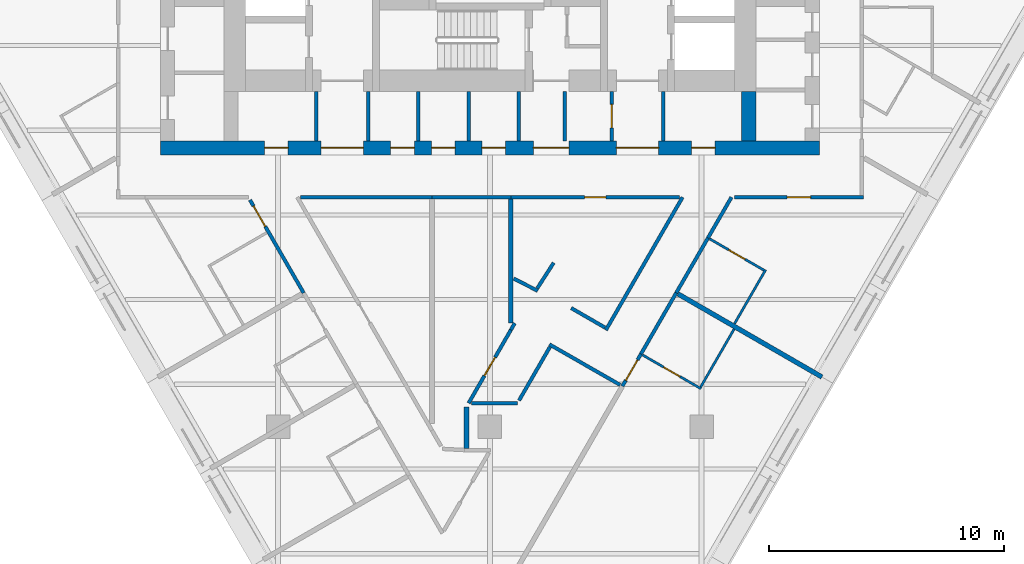
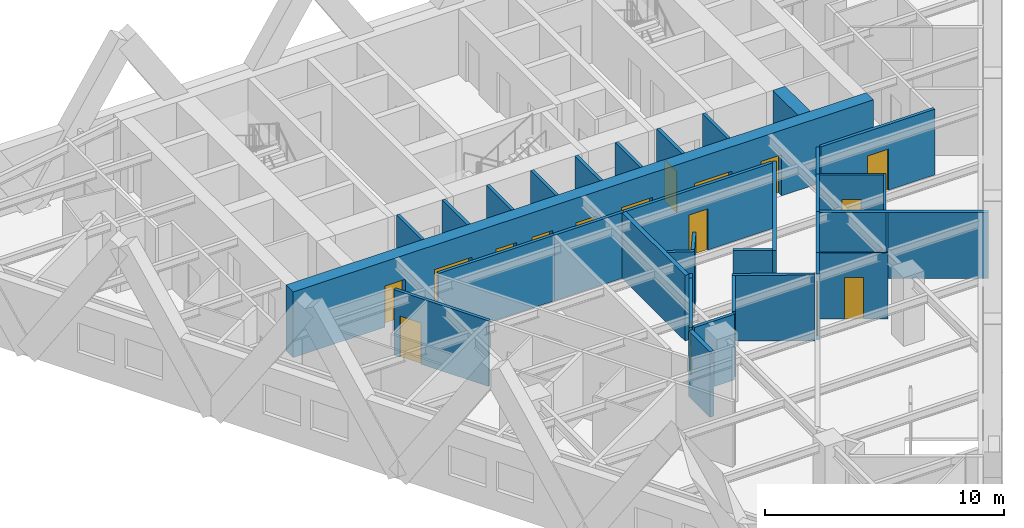
# One storey, part 6 of 12: 35 walls, 16 doors, 16 openings.
"""IFC4 building model written with IfcOpenShell, lengths in metres."""

from ifc_helpers import new_model, si_unit, direction, frame, frame_2d, origin, place, context, subcontext, project, spatial, rectangle, extrude, material, layer, layer_set, type_object, element, fill, save


model = new_model("IFC4")

# Units and contexts
model_context = context("Model", 3, precision=1e-05, world=origin(), true_north=direction((0.0, 1.0)))
body_context = subcontext(model_context, "Body", "Model", "MODEL_VIEW")
ifc_project = project(units=[si_unit("LENGTHUNIT", "METRE"), si_unit("AREAUNIT", "SQUARE_METRE"), si_unit("VOLUMEUNIT", "CUBIC_METRE"), si_unit("PLANEANGLEUNIT", "RADIAN"), si_unit("MASSUNIT", "GRAM", prefix="KILO")], contexts=[model_context])

# Site, building, storey
site_placement = place(None, origin())
site = spatial("IfcSite", under=ifc_project, at=site_placement, CompositionType="ELEMENT")
building_placement = place(site_placement, origin())
building = spatial("IfcBuilding", under=site, at=building_placement, Name="Aloe Facet Convention Tower", CompositionType="ELEMENT")
storey_placement = place(building_placement, frame((0.0, 0.0, 70.0)))
storey = spatial("IfcBuildingStorey", under=building, at=storey_placement, Name="L16", CompositionType="ELEMENT", Elevation=70.0)

# Walls
ifc_material_1 = material(Name="Concrete blockwork partition", Category="masonry")
ifc_layer_1 = layer(ifc_material_1, 0.14990234375)
ifc_layer_set_1 = layer_set([ifc_layer_1], Name="CR-W-PART150")
wall_type_1 = type_object("IfcWallType", Name="CR-W-PART150", PredefinedType="PARTITIONING", material=ifc_layer_set_1)
for number, where, z_axis, x_axis, name in (
    (1, (72.625, 122.25, 0.0), (0.0, 0.0, 1.0), (0.0, -1.0, 0.0), "Core partition L16-016"),
    (2, (74.824951171875, 122.25, 0.0), (0.0, 0.0, 1.0), (0.0, -1.0, 0.0), "Core partition L16-017"),
    (3, (76.958251953125, 122.25, 0.0), (0.0, 0.0, 1.0), (0.0, -1.0, 0.0), "Core partition L16-023"),
    (4, (79.091552734375, 122.25, 0.0), (0.0, 0.0, 1.0), (0.0, -1.0, 0.0), "Core partition L16-026"),
    (5, (81.22509765625, 122.25, 0.0), (0.0, 0.0, 1.0), (0.0, -1.0, 0.0), "Core partition L16-027"),
    (6, (83.175048828125, 122.25, 0.0), (0.0, 0.0, 1.0), (0.0, -1.0, 0.0), "Core partition L16-034"),
):
    element("IfcWall", number, at=place(storey_placement, frame(where, z_axis=z_axis, x_axis=x_axis)), inside=storey, type_object=wall_type_1, Name=name, PredefinedType="PARTITIONING", context=body_context, shape_type="SweptSolid", body=[
        extrude(rectangle(XDim=2.10009765625, YDim=0.14990234375, at=frame_2d((1.050048828125, 0.0))), origin(), (0.0, 0.0, 1.0), 3.35009765625),
    ])

# Wall, opening, door
wall_1_placement = place(storey_placement, frame((85.175048828125, 122.25, 0.0), z_axis=(0.0, 0.0, 1.0), x_axis=(0.0, -1.0, 0.0)))
wall_1 = element("IfcWall", 7, at=wall_1_placement, inside=storey, type_object=wall_type_1, Name="Core partition L16-040", PredefinedType="PARTITIONING", context=body_context, shape_type="SweptSolid", body=[
    extrude(rectangle(XDim=2.10009765625, YDim=0.14990234375, at=frame_2d((1.050048828125, 0.0))), origin(), (0.0, 0.0, 1.0), 3.35009765625),
])
opening_1_placement = place(wall_1_placement, frame((0.550048828125, 0.0, 0.0)))
opening_1 = element("IfcOpeningElement", 8, at=opening_1_placement, cuts=wall_1, Name="Opening L16-CD28", PredefinedType="OPENING", context=body_context, shape_type="SweptSolid", body=[
    extrude(rectangle(XDim=1.0, YDim=2.10009765625, at=frame_2d((0.5, 1.050048828125))), frame((0.0, 0.0849609375, 0.0), z_axis=(0.0, -1.0, 0.0), x_axis=(1.0, 0.0, 0.0)), (0.0, 0.0, 1.0), 0.169921875),
])
ifc_material_2 = material(Name="Steel fire-resisting door set FD60", Category="steel")
door_type_1 = type_object("IfcDoorType", Name="CR-D-ROOM-1000-FD60-SRIGHT", OperationType="SINGLE_SWING_RIGHT", PredefinedType="DOOR", material=ifc_material_2)
door_1_placement = place(opening_1_placement, origin())
door_1 = element("IfcDoor", 9, at=door_1_placement, inside=storey, type_object=door_type_1, Name="Core door L16-CD28", OperationType="SINGLE_SWING_RIGHT", OverallHeight=2.10009765625, OverallWidth=1.0, PredefinedType="DOOR", context=body_context, shape_type="SweptSolid", body=[
    extrude(rectangle(XDim=1.0, YDim=2.10009765625, at=frame_2d((0.5, 1.050048828125))), frame((0.0, 0.02490234375, 0.0), z_axis=(0.0, -1.0, 0.0), x_axis=(1.0, 0.0, 0.0)), (0.0, 0.0, 1.0), 0.050048828125),
])
fill(opening_1, door_1)

# Wall
wall_2_placement = place(storey_placement, frame((87.375, 122.25, 0.0), z_axis=(0.0, 0.0, 1.0), x_axis=(0.0, -1.0, 0.0)))
element("IfcWall", 10, at=wall_2_placement, inside=storey, type_object=wall_type_1, Name="Core partition L16-041", PredefinedType="PARTITIONING", context=body_context, shape_type="SweptSolid", body=[
    extrude(rectangle(XDim=2.10009765625, YDim=0.14990234375, at=frame_2d((1.050048828125, 0.0))), origin(), (0.0, 0.0, 1.0), 3.35009765625),
])

# Wall, openings, doors
ifc_material_3 = material(Name="Concrete C80/95", Category="concrete")
ifc_layer_2 = layer(ifc_material_3, 0.60009765625)
ifc_layer_set_2 = layer_set([ifc_layer_2], Name="CR-W-RC600-C8095")
wall_type_2 = type_object("IfcWallType", Name="CR-W-RC600-C8095", PredefinedType="SOLIDWALL", material=ifc_layer_set_2)
wall_3_placement = place(storey_placement, frame((66.0, 119.85009765625, 0.0), z_axis=(0.0, 0.0, 1.0), x_axis=(1.0, 0.0, 0.0)))
wall_3 = element("IfcWall", 11, at=wall_3_placement, inside=storey, type_object=wall_type_2, Name="Core wall L16-003", PredefinedType="SOLIDWALL", context=body_context, shape_type="SweptSolid", body=[
    extrude(rectangle(XDim=28.0, YDim=0.60009765625, at=frame_2d((14.0, 0.0))), origin(), (0.0, 0.0, 1.0), 3.35009765625),
])
opening_2_placement = place(wall_3_placement, frame((6.824951171875, 0.0, 0.0)))
opening_2 = element("IfcOpeningElement", 12, at=opening_2_placement, cuts=wall_3, Name="Opening L16-CD17", PredefinedType="OPENING", context=body_context, shape_type="SweptSolid", body=[
    extrude(rectangle(XDim=1.800048828125, YDim=2.10009765625, at=frame_2d((0.89990234375, 1.050048828125))), frame((0.0, 0.31005859375, 0.0), z_axis=(0.0, -1.0, 0.0), x_axis=(1.0, 0.0, 0.0)), (0.0, 0.0, 1.0), 0.6201171875),
])
opening_3_placement = place(wall_3_placement, frame((15.85009765625, 0.0, 0.0)))
opening_3 = element("IfcOpeningElement", 13, at=opening_3_placement, cuts=wall_3, Name="Opening L16-CD18", PredefinedType="OPENING", context=body_context, shape_type="SweptSolid", body=[
    extrude(rectangle(XDim=1.5, YDim=2.10009765625, at=frame_2d((0.75, 1.050048828125))), frame((0.0, 0.31005859375, 0.0), z_axis=(0.0, -1.0, 0.0), x_axis=(1.0, 0.0, 0.0)), (0.0, 0.0, 1.0), 0.6201171875),
])
opening_4_placement = place(wall_3_placement, frame((19.375, 0.0, 0.0)))
opening_4 = element("IfcOpeningElement", 14, at=opening_4_placement, cuts=wall_3, Name="Opening L16-CD19", PredefinedType="OPENING", context=body_context, shape_type="SweptSolid", body=[
    extrude(rectangle(XDim=1.800048828125, YDim=2.10009765625, at=frame_2d((0.89990234375, 1.050048828125))), frame((0.0, 0.31005859375, 0.0), z_axis=(0.0, -1.0, 0.0), x_axis=(1.0, 0.0, 0.0)), (0.0, 0.0, 1.0), 0.6201171875),
])
opening_5_placement = place(wall_3_placement, frame((4.425048828125, 0.0, 0.0)))
opening_5 = element("IfcOpeningElement", 15, at=opening_5_placement, cuts=wall_3, Name="Opening L16-CD24", PredefinedType="OPENING", context=body_context, shape_type="SweptSolid", body=[
    extrude(rectangle(XDim=1.0, YDim=2.10009765625, at=frame_2d((0.5, 1.050048828125))), frame((0.0, 0.31005859375, 0.0), z_axis=(0.0, -1.0, 0.0), x_axis=(1.0, 0.0, 0.0)), (0.0, 0.0, 1.0), 0.6201171875),
])
opening_6_placement = place(wall_3_placement, frame((9.783203125, 0.0, 0.0)))
opening_6 = element("IfcOpeningElement", 16, at=opening_6_placement, cuts=wall_3, Name="Opening L16-CD25", PredefinedType="OPENING", context=body_context, shape_type="SweptSolid", body=[
    extrude(rectangle(XDim=1.0, YDim=2.10009765625, at=frame_2d((0.5, 1.050048828125))), frame((0.0, 0.31005859375, 0.0), z_axis=(0.0, -1.0, 0.0), x_axis=(1.0, 0.0, 0.0)), (0.0, 0.0, 1.0), 0.6201171875),
])
opening_7_placement = place(wall_3_placement, frame((11.52490234375, 0.0, 0.0)))
opening_7 = element("IfcOpeningElement", 17, at=opening_7_placement, cuts=wall_3, Name="Opening L16-CD26", PredefinedType="OPENING", context=body_context, shape_type="SweptSolid", body=[
    extrude(rectangle(XDim=1.0, YDim=2.10009765625, at=frame_2d((0.5, 1.050048828125))), frame((0.0, 0.31005859375, 0.0), z_axis=(0.0, -1.0, 0.0), x_axis=(1.0, 0.0, 0.0)), (0.0, 0.0, 1.0), 0.6201171875),
])
opening_8_placement = place(wall_3_placement, frame((13.658203125, 0.0, 0.0)))
opening_8 = element("IfcOpeningElement", 18, at=opening_8_placement, cuts=wall_3, Name="Opening L16-CD27", PredefinedType="OPENING", context=body_context, shape_type="SweptSolid", body=[
    extrude(rectangle(XDim=1.0, YDim=2.10009765625, at=frame_2d((0.5, 1.050048828125))), frame((0.0, 0.31005859375, 0.0), z_axis=(0.0, -1.0, 0.0), x_axis=(1.0, 0.0, 0.0)), (0.0, 0.0, 1.0), 0.6201171875),
])
opening_9_placement = place(wall_3_placement, frame((22.574951171875, 0.0, 0.0)))
opening_9 = element("IfcOpeningElement", 19, at=opening_9_placement, cuts=wall_3, Name="Opening L16-CD29", PredefinedType="OPENING", context=body_context, shape_type="SweptSolid", body=[
    extrude(rectangle(XDim=1.0, YDim=2.10009765625, at=frame_2d((0.5, 1.050048828125))), frame((0.0, 0.31005859375, 0.0), z_axis=(0.0, -1.0, 0.0), x_axis=(1.0, 0.0, 0.0)), (0.0, 0.0, 1.0), 0.6201171875),
])
ifc_material_4 = material(Name="Steel fire-resisting door set FD60", Category="steel")
door_type_2 = type_object("IfcDoorType", Name="CR-D-EXIT-1500-FD60-DD", OperationType="DOUBLE_DOOR_DOUBLE_SWING", PredefinedType="DOOR", material=ifc_material_4)
door_2_placement = place(opening_3_placement, origin())
door_2 = element("IfcDoor", 20, at=door_2_placement, inside=storey, type_object=door_type_2, Name="Core door L16-CD18", OperationType="DOUBLE_DOOR_DOUBLE_SWING", OverallHeight=2.10009765625, OverallWidth=1.5, PredefinedType="DOOR", context=body_context, shape_type="SweptSolid", body=[
    extrude(rectangle(XDim=1.5, YDim=2.10009765625, at=frame_2d((0.75, 1.050048828125))), frame((0.0, 0.02490234375, 0.0), z_axis=(0.0, -1.0, 0.0), x_axis=(1.0, 0.0, 0.0)), (0.0, 0.0, 1.0), 0.050048828125),
])
fill(opening_3, door_2)
ifc_material_5 = material(Name="Steel fire-resisting door set FD60", Category="steel")
door_type_3 = type_object("IfcDoorType", Name="CR-D-EXIT-1800-FD60-DD", OperationType="DOUBLE_DOOR_DOUBLE_SWING", PredefinedType="DOOR", material=ifc_material_5)
door_3_placement = place(opening_2_placement, origin())
door_3 = element("IfcDoor", 21, at=door_3_placement, inside=storey, type_object=door_type_3, Name="Core door L16-CD17", OperationType="DOUBLE_DOOR_DOUBLE_SWING", OverallHeight=2.10009765625, OverallWidth=1.800048828125, PredefinedType="DOOR", context=body_context, shape_type="SweptSolid", body=[
    extrude(rectangle(XDim=1.800048828125, YDim=2.10009765625, at=frame_2d((0.89990234375, 1.050048828125))), frame((0.0, 0.02490234375, 0.0), z_axis=(0.0, -1.0, 0.0), x_axis=(1.0, 0.0, 0.0)), (0.0, 0.0, 1.0), 0.050048828125),
])
fill(opening_2, door_3)
door_4_placement = place(opening_4_placement, origin())
door_4 = element("IfcDoor", 22, at=door_4_placement, inside=storey, type_object=door_type_3, Name="Core door L16-CD19", OperationType="DOUBLE_DOOR_DOUBLE_SWING", OverallHeight=2.10009765625, OverallWidth=1.800048828125, PredefinedType="DOOR", context=body_context, shape_type="SweptSolid", body=[
    extrude(rectangle(XDim=1.800048828125, YDim=2.10009765625, at=frame_2d((0.89990234375, 1.050048828125))), frame((0.0, 0.02490234375, 0.0), z_axis=(0.0, -1.0, 0.0), x_axis=(1.0, 0.0, 0.0)), (0.0, 0.0, 1.0), 0.050048828125),
])
fill(opening_4, door_4)
door_5_placement = place(opening_5_placement, origin())
door_5 = element("IfcDoor", 23, at=door_5_placement, inside=storey, type_object=door_type_1, Name="Core door L16-CD24", OperationType="SINGLE_SWING_RIGHT", OverallHeight=2.10009765625, OverallWidth=1.0, PredefinedType="DOOR", context=body_context, shape_type="SweptSolid", body=[
    extrude(rectangle(XDim=1.0, YDim=2.10009765625, at=frame_2d((0.5, 1.050048828125))), frame((0.0, 0.02490234375, 0.0), z_axis=(0.0, -1.0, 0.0), x_axis=(1.0, 0.0, 0.0)), (0.0, 0.0, 1.0), 0.050048828125),
])
fill(opening_5, door_5)
door_6_placement = place(opening_6_placement, origin())
door_6 = element("IfcDoor", 24, at=door_6_placement, inside=storey, type_object=door_type_1, Name="Core door L16-CD25", OperationType="SINGLE_SWING_RIGHT", OverallHeight=2.10009765625, OverallWidth=1.0, PredefinedType="DOOR", context=body_context, shape_type="SweptSolid", body=[
    extrude(rectangle(XDim=1.0, YDim=2.10009765625, at=frame_2d((0.5, 1.050048828125))), frame((0.0, 0.02490234375, 0.0), z_axis=(0.0, -1.0, 0.0), x_axis=(1.0, 0.0, 0.0)), (0.0, 0.0, 1.0), 0.050048828125),
])
fill(opening_6, door_6)
door_7_placement = place(opening_7_placement, origin())
door_7 = element("IfcDoor", 25, at=door_7_placement, inside=storey, type_object=door_type_1, Name="Core door L16-CD26", OperationType="SINGLE_SWING_RIGHT", OverallHeight=2.10009765625, OverallWidth=1.0, PredefinedType="DOOR", context=body_context, shape_type="SweptSolid", body=[
    extrude(rectangle(XDim=1.0, YDim=2.10009765625, at=frame_2d((0.5, 1.050048828125))), frame((0.0, 0.02490234375, 0.0), z_axis=(0.0, -1.0, 0.0), x_axis=(1.0, 0.0, 0.0)), (0.0, 0.0, 1.0), 0.050048828125),
])
fill(opening_7, door_7)
door_8_placement = place(opening_8_placement, origin())
door_8 = element("IfcDoor", 26, at=door_8_placement, inside=storey, type_object=door_type_1, Name="Core door L16-CD27", OperationType="SINGLE_SWING_RIGHT", OverallHeight=2.10009765625, OverallWidth=1.0, PredefinedType="DOOR", context=body_context, shape_type="SweptSolid", body=[
    extrude(rectangle(XDim=1.0, YDim=2.10009765625, at=frame_2d((0.5, 1.050048828125))), frame((0.0, 0.02490234375, 0.0), z_axis=(0.0, -1.0, 0.0), x_axis=(1.0, 0.0, 0.0)), (0.0, 0.0, 1.0), 0.050048828125),
])
fill(opening_8, door_8)
door_9_placement = place(opening_9_placement, origin())
door_9 = element("IfcDoor", 27, at=door_9_placement, inside=storey, type_object=door_type_1, Name="Core door L16-CD29", OperationType="SINGLE_SWING_RIGHT", OverallHeight=2.10009765625, OverallWidth=1.0, PredefinedType="DOOR", context=body_context, shape_type="SweptSolid", body=[
    extrude(rectangle(XDim=1.0, YDim=2.10009765625, at=frame_2d((0.5, 1.050048828125))), frame((0.0, 0.02490234375, 0.0), z_axis=(0.0, -1.0, 0.0), x_axis=(1.0, 0.0, 0.0)), (0.0, 0.0, 1.0), 0.050048828125),
])
fill(opening_9, door_9)

# Wall
wall_4_placement = place(storey_placement, frame((91.0, 122.25, 0.0), z_axis=(0.0, 0.0, 1.0), x_axis=(0.0, -1.0, 0.0)))
element("IfcWall", 28, at=wall_4_placement, inside=storey, type_object=wall_type_2, Name="Core wall L16-047", PredefinedType="SOLIDWALL", context=body_context, shape_type="SweptSolid", body=[
    extrude(rectangle(XDim=2.10009765625, YDim=0.60009765625, at=frame_2d((1.050048828125, 0.0))), origin(), (0.0, 0.0, 1.0), 3.35009765625),
])

# Wall, opening, door
ifc_material_6 = material(Name="Gypsum board partition on steel studs", Category="steel")
ifc_layer_3 = layer(ifc_material_6, 0.14990234375)
ifc_layer_set_3 = layer_set([ifc_layer_3], Name="IN-W-CORR")
wall_type_3 = type_object("IfcWallType", Name="IN-W-CORR", PredefinedType="PARTITIONING", material=ifc_layer_set_3)
wall_5_placement = place(storey_placement, frame((79.09326171875, 109.0, 0.0), z_axis=(0.0, 0.0, 1.0), x_axis=(0.499975343382, 0.866039638822, 0.0)))
wall_5 = element("IfcWall", 29, at=wall_5_placement, inside=storey, type_object=wall_type_3, Name="Partition L16-W025", PredefinedType="PARTITIONING", context=body_context, shape_type="SweptSolid", body=[
    extrude(rectangle(XDim=3.593505859375, YDim=0.14990234375, at=frame_2d((1.796875, 0.0))), origin(), (0.0, 0.0, 1.0), 3.35009765625),
])
opening_10_placement = place(wall_5_placement, frame((1.3466796875, 0.0, 0.0)))
opening_10 = element("IfcOpeningElement", 30, at=opening_10_placement, cuts=wall_5, Name="Opening L16-012", PredefinedType="OPENING", context=body_context, shape_type="SweptSolid", body=[
    extrude(rectangle(XDim=0.89990234375, YDim=2.10009765625, at=frame_2d((0.449951171875, 1.050048828125))), frame((0.0, 0.0849609375, 0.0), z_axis=(0.0, -1.0, 0.0), x_axis=(1.0, 0.0, 0.0)), (0.0, 0.0, 1.0), 0.169921875),
])
ifc_material_7 = material(Name="Hardwood flush door FD30S", Category="wood")
door_type_4 = type_object("IfcDoorType", Name="IN-D-GUEST", OperationType="SINGLE_SWING_LEFT", PredefinedType="DOOR", material=ifc_material_7)
door_10_placement = place(opening_10_placement, origin())
door_10 = element("IfcDoor", 31, at=door_10_placement, inside=storey, type_object=door_type_4, Name="Door L16-012", OperationType="SINGLE_SWING_LEFT", OverallHeight=2.10009765625, OverallWidth=0.89990234375, PredefinedType="DOOR", context=body_context, shape_type="SweptSolid", body=[
    extrude(rectangle(XDim=0.89990234375, YDim=2.10009765625, at=frame_2d((0.449951171875, 1.050048828125))), frame((0.0, 0.02490234375, 0.0), z_axis=(0.0, -1.0, 0.0), x_axis=(1.0, 0.0, 0.0)), (0.0, 0.0, 1.0), 0.050048828125),
])
fill(opening_10, door_10)

# Walls
wall_6_placement = place(storey_placement, frame((79.22314453125, 109.0, 0.0), z_axis=(0.0, 0.0, 1.0), x_axis=(1.0, 0.0, 0.0)))
element("IfcWall", 32, at=wall_6_placement, inside=storey, type_object=wall_type_3, Name="Partition L16-W026", PredefinedType="PARTITIONING", context=body_context, shape_type="SweptSolid", body=[
    extrude(rectangle(XDim=1.948486328125, YDim=0.14990234375, at=frame_2d((0.97412109375, 0.0))), origin(), (0.0, 0.0, 1.0), 3.35009765625),
])
wall_7_placement = place(storey_placement, frame((82.527099609375, 111.49755859375, 0.0), z_axis=(0.0, 0.0, 1.0), x_axis=(0.867448529518, -0.497526932575, 0.0)))
element("IfcWall", 33, at=wall_7_placement, inside=storey, type_object=wall_type_3, Name="Partition L16-W029", PredefinedType="PARTITIONING", context=body_context, shape_type="SweptSolid", body=[
    extrude(rectangle(XDim=3.46484375, YDim=0.14990234375, at=frame_2d((1.732421875, 0.0))), origin(), (0.0, 0.0, 1.0), 3.35009765625),
])
wall_8_placement = place(storey_placement, frame((86.418212890625, 111.087158203125, 0.0), z_axis=(0.0, 0.0, 1.0), x_axis=(0.499990139034, 0.866031096941, 0.0)))
element("IfcWall", 34, at=wall_8_placement, inside=storey, type_object=wall_type_3, Name="Partition L16-W035", PredefinedType="PARTITIONING", context=body_context, shape_type="SweptSolid", body=[
    extrude(rectangle(XDim=3.0, YDim=0.14990234375, at=frame_2d((1.5, 0.0))), origin(), (0.0, 0.0, 1.0), 3.35009765625),
])

# Wall, opening, door
wall_9_placement = place(storey_placement, frame((85.628173828125, 109.71875, 0.0), z_axis=(0.0, 0.0, 1.0), x_axis=(0.499994407638, 0.866028632512, 0.0)))
wall_9 = element("IfcWall", 35, at=wall_9_placement, inside=storey, type_object=wall_type_3, Name="Partition L16-W036", PredefinedType="PARTITIONING", context=body_context, shape_type="SweptSolid", body=[
    extrude(rectangle(XDim=1.580078125, YDim=0.14990234375, at=frame_2d((0.7900390625, 0.0))), origin(), (0.0, 0.0, 1.0), 3.35009765625),
])
opening_11_placement = place(wall_9_placement, frame((0.2900390625, 0.0, 0.0)))
opening_11 = element("IfcOpeningElement", 36, at=opening_11_placement, cuts=wall_9, Name="Opening L16-008", PredefinedType="OPENING", context=body_context, shape_type="SweptSolid", body=[
    extrude(rectangle(XDim=1.0, YDim=2.10009765625, at=frame_2d((0.5, 1.050048828125))), frame((0.0, 0.0849609375, 0.0), z_axis=(0.0, -1.0, 0.0), x_axis=(1.0, 0.0, 0.0)), (0.0, 0.0, 1.0), 0.169921875),
])
ifc_material_8 = material(Name="Hardwood flush door FD30S", Category="wood")
door_type_5 = type_object("IfcDoorType", Name="IN-D-WIDE", OperationType="SINGLE_SWING_LEFT", PredefinedType="DOOR", material=ifc_material_8)
door_11_placement = place(opening_11_placement, origin())
door_11 = element("IfcDoor", 37, at=door_11_placement, inside=storey, type_object=door_type_5, Name="Door L16-008", OperationType="SINGLE_SWING_LEFT", OverallHeight=2.10009765625, OverallWidth=1.0, PredefinedType="DOOR", context=body_context, shape_type="SweptSolid", body=[
    extrude(rectangle(XDim=1.0, YDim=2.10009765625, at=frame_2d((0.5, 1.050048828125))), frame((0.0, 0.02490234375, 0.0), z_axis=(0.0, -1.0, 0.0), x_axis=(1.0, 0.0, 0.0)), (0.0, 0.0, 1.0), 0.050048828125),
])
fill(opening_11, door_11)

# Walls
wall_10_placement = place(storey_placement, frame((81.236572265625, 109.112548828125, 0.0), z_axis=(0.0, 0.0, 1.0), x_axis=(0.500039022115, 0.866002873184, 0.0)))
element("IfcWall", 38, at=wall_10_placement, inside=storey, type_object=wall_type_3, Name="Partition L16-W037", PredefinedType="PARTITIONING", context=body_context, shape_type="SweptSolid", body=[
    extrude(rectangle(XDim=2.625732421875, YDim=0.14990234375, at=frame_2d((1.31298828125, 0.0))), origin(), (0.0, 0.0, 1.0), 3.35009765625),
])
wall_11_placement = place(storey_placement, frame((80.889892578125, 112.112060546875, 0.0), z_axis=(0.0, 0.0, 1.0), x_axis=(0.500598341109, 0.865679675676, 0.0)))
element("IfcWall", 39, at=wall_11_placement, inside=storey, type_object=wall_type_3, Name="Partition L16-W041", PredefinedType="PARTITIONING", context=body_context, shape_type="SweptSolid", body=[
    extrude(rectangle(XDim=0.32958984375, YDim=0.14990234375, at=frame_2d((0.164794921875, 0.0))), origin(), (0.0, 0.0, 1.0), 3.35009765625),
])
wall_12_placement = place(storey_placement, frame((84.9267578125, 112.10400390625, 0.0), z_axis=(0.0, 0.0, 1.0), x_axis=(0.50000555188, 0.866022198381, 0.0)))
element("IfcWall", 40, at=wall_12_placement, inside=storey, type_object=wall_type_3, Name="Partition L16-W043", PredefinedType="PARTITIONING", context=body_context, shape_type="SweptSolid", body=[
    extrude(rectangle(XDim=6.51953125, YDim=0.14990234375, at=frame_2d((3.259765625, 0.0))), origin(), (0.0, 0.0, 1.0), 3.35009765625),
])
wall_13_placement = place(storey_placement, frame((82.71142578125, 114.967041015625, 0.0), z_axis=(0.0, 0.0, 1.0), x_axis=(-0.541804893766, -0.840504287372, 0.0)))
element("IfcWall", 41, at=wall_13_placement, inside=storey, type_object=wall_type_3, Name="Partition L16-W050", PredefinedType="PARTITIONING", context=body_context, shape_type="SweptSolid", body=[
    extrude(rectangle(XDim=1.29541015625, YDim=0.14990234375, at=frame_2d((0.647705078125, 0.0))), origin(), (0.0, 0.0, 1.0), 3.35009765625),
])
wall_14_placement = place(storey_placement, frame((83.453857421875, 113.041259765625, 0.0), z_axis=(0.0, 0.0, 1.0), x_axis=(0.866006690807, -0.500032410427, 0.0)))
element("IfcWall", 42, at=wall_14_placement, inside=storey, type_object=wall_type_3, Name="Partition L16-W051", PredefinedType="PARTITIONING", context=body_context, shape_type="SweptSolid", body=[
    extrude(rectangle(XDim=1.6591796875, YDim=0.14990234375, at=frame_2d((0.82958984375, 0.0))), origin(), (0.0, 0.0, 1.0), 3.35009765625),
])
wall_15_placement = place(storey_placement, frame((87.918212890625, 113.685302734375, 0.0), z_axis=(0.0, 0.0, 1.0), x_axis=(0.500048589285, 0.86599734893, 0.0)))
element("IfcWall", 43, at=wall_15_placement, inside=storey, type_object=wall_type_3, Name="Partition L16-W059", PredefinedType="PARTITIONING", context=body_context, shape_type="SweptSolid", body=[
    extrude(rectangle(XDim=2.699951171875, YDim=0.14990234375, at=frame_2d((1.35009765625, 0.0))), origin(), (0.0, 0.0, 1.0), 3.35009765625),
])
wall_16_placement = place(storey_placement, frame((82.030029296875, 113.7724609375, 0.0), z_axis=(0.0, 0.0, 1.0), x_axis=(-0.88951078583, 0.456914173441, 0.0)))
element("IfcWall", 44, at=wall_16_placement, inside=storey, type_object=wall_type_3, Name="Partition L16-W060", PredefinedType="PARTITIONING", context=body_context, shape_type="SweptSolid", body=[
    extrude(rectangle(XDim=1.14453125, YDim=0.14990234375, at=frame_2d((0.572265625, 0.0))), origin(), (0.0, 0.0, 1.0), 3.35009765625),
])

# Wall, opening, door
wall_17_placement = place(storey_placement, frame((69.800048828125, 117.637451171875, 0.0), z_axis=(0.0, 0.0, 1.0), x_axis=(0.499994135611, -0.866028789565, 0.0)))
wall_17 = element("IfcWall", 45, at=wall_17_placement, inside=storey, type_object=wall_type_3, Name="Partition L16-W070", PredefinedType="PARTITIONING", context=body_context, shape_type="SweptSolid", body=[
    extrude(rectangle(XDim=4.5634765625, YDim=0.14990234375, at=frame_2d((2.28173828125, 0.0))), origin(), (0.0, 0.0, 1.0), 3.35009765625),
])
opening_12_placement = place(wall_17_placement, frame((0.300048828125, 0.0, 0.0)))
opening_12 = element("IfcOpeningElement", 46, at=opening_12_placement, cuts=wall_17, Name="Opening L16-014", PredefinedType="OPENING", context=body_context, shape_type="SweptSolid", body=[
    extrude(rectangle(XDim=1.0, YDim=2.10009765625, at=frame_2d((0.5, 1.050048828125))), frame((0.0, 0.0849609375, 0.0), z_axis=(0.0, -1.0, 0.0), x_axis=(1.0, 0.0, 0.0)), (0.0, 0.0, 1.0), 0.169921875),
])
door_12_placement = place(opening_12_placement, origin())
door_12 = element("IfcDoor", 47, at=door_12_placement, inside=storey, type_object=door_type_5, Name="Door L16-014", OperationType="SINGLE_SWING_LEFT", OverallHeight=2.10009765625, OverallWidth=1.0, PredefinedType="DOOR", context=body_context, shape_type="SweptSolid", body=[
    extrude(rectangle(XDim=1.0, YDim=2.10009765625, at=frame_2d((0.5, 1.050048828125))), frame((0.0, 0.02490234375, 0.0), z_axis=(0.0, -1.0, 0.0), x_axis=(1.0, 0.0, 0.0)), (0.0, 0.0, 1.0), 0.050048828125),
])
fill(opening_12, door_12)

# Walls
wall_18_placement = place(storey_placement, frame((71.943359375, 117.75, 0.0), z_axis=(0.0, 0.0, 1.0), x_axis=(1.0, 0.0, 0.0)))
element("IfcWall", 48, at=wall_18_placement, inside=storey, type_object=wall_type_3, Name="Partition L16-W072", PredefinedType="PARTITIONING", context=body_context, shape_type="SweptSolid", body=[
    extrude(rectangle(XDim=5.590576171875, YDim=0.14990234375, at=frame_2d((2.79541015625, 0.0))), origin(), (0.0, 0.0, 1.0), 3.35009765625),
])
wall_19_placement = place(storey_placement, frame((77.533935546875, 117.75, 0.0), z_axis=(0.0, 0.0, 1.0), x_axis=(1.0, 0.0, 0.0)))
element("IfcWall", 49, at=wall_19_placement, inside=storey, type_object=wall_type_3, Name="Partition L16-W073", PredefinedType="PARTITIONING", context=body_context, shape_type="SweptSolid", body=[
    extrude(rectangle(XDim=3.35595703125, YDim=0.14990234375, at=frame_2d((1.677978515625, 0.0))), origin(), (0.0, 0.0, 1.0), 3.35009765625),
])

# Wall, opening, door
wall_20_placement = place(storey_placement, frame((80.889892578125, 117.75, 0.0), z_axis=(0.0, 0.0, 1.0), x_axis=(1.0, 0.0, 0.0)))
wall_20 = element("IfcWall", 50, at=wall_20_placement, inside=storey, type_object=wall_type_3, Name="Partition L16-W074", PredefinedType="PARTITIONING", context=body_context, shape_type="SweptSolid", body=[
    extrude(rectangle(XDim=7.166748046875, YDim=0.14990234375, at=frame_2d((3.58349609375, 0.0))), origin(), (0.0, 0.0, 1.0), 3.35009765625),
])
opening_13_placement = place(wall_20_placement, frame((3.13330078125, 0.0, 0.0)))
opening_13 = element("IfcOpeningElement", 51, at=opening_13_placement, cuts=wall_20, Name="Opening L16-013", PredefinedType="OPENING", context=body_context, shape_type="SweptSolid", body=[
    extrude(rectangle(XDim=0.89990234375, YDim=2.10009765625, at=frame_2d((0.449951171875, 1.050048828125))), frame((0.0, 0.0849609375, 0.0), z_axis=(0.0, -1.0, 0.0), x_axis=(1.0, 0.0, 0.0)), (0.0, 0.0, 1.0), 0.169921875),
])
door_13_placement = place(opening_13_placement, origin())
door_13 = element("IfcDoor", 52, at=door_13_placement, inside=storey, type_object=door_type_4, Name="Door L16-013", OperationType="SINGLE_SWING_LEFT", OverallHeight=2.10009765625, OverallWidth=0.89990234375, PredefinedType="DOOR", context=body_context, shape_type="SweptSolid", body=[
    extrude(rectangle(XDim=0.89990234375, YDim=2.10009765625, at=frame_2d((0.449951171875, 1.050048828125))), frame((0.0, 0.02490234375, 0.0), z_axis=(0.0, -1.0, 0.0), x_axis=(1.0, 0.0, 0.0)), (0.0, 0.0, 1.0), 0.050048828125),
])
fill(opening_13, door_13)

# Wall
wall_21_placement = place(storey_placement, frame((89.268310546875, 116.0234375, 0.0), z_axis=(0.0, 0.0, 1.0), x_axis=(0.499906209203, 0.866079547155, 0.0)))
element("IfcWall", 53, at=wall_21_placement, inside=storey, type_object=wall_type_3, Name="Partition L16-W075", PredefinedType="PARTITIONING", context=body_context, shape_type="SweptSolid", body=[
    extrude(rectangle(XDim=1.99365234375, YDim=0.14990234375, at=frame_2d((0.996826171875, 0.0))), origin(), (0.0, 0.0, 1.0), 3.35009765625),
])

# Wall, opening, door
wall_22_placement = place(storey_placement, frame((90.394775390625, 117.75, 0.0), z_axis=(0.0, 0.0, 1.0), x_axis=(1.0, 0.0, 0.0)))
wall_22 = element("IfcWall", 54, at=wall_22_placement, inside=storey, type_object=wall_type_3, Name="Partition L16-W076", PredefinedType="PARTITIONING", context=body_context, shape_type="SweptSolid", body=[
    extrude(rectangle(XDim=5.480224609375, YDim=0.14990234375, at=frame_2d((2.740234375, 0.0))), origin(), (0.0, 0.0, 1.0), 3.35009765625),
])
opening_14_placement = place(wall_22_placement, frame((2.239990234375, 0.0, 0.0)))
opening_14 = element("IfcOpeningElement", 55, at=opening_14_placement, cuts=wall_22, Name="Opening L16-009", PredefinedType="OPENING", context=body_context, shape_type="SweptSolid", body=[
    extrude(rectangle(XDim=1.0, YDim=2.10009765625, at=frame_2d((0.5, 1.050048828125))), frame((0.0, 0.0849609375, 0.0), z_axis=(0.0, -1.0, 0.0), x_axis=(1.0, 0.0, 0.0)), (0.0, 0.0, 1.0), 0.169921875),
])
door_14_placement = place(opening_14_placement, origin())
door_14 = element("IfcDoor", 56, at=door_14_placement, inside=storey, type_object=door_type_5, Name="Door L16-009", OperationType="SINGLE_SWING_LEFT", OverallHeight=2.10009765625, OverallWidth=1.0, PredefinedType="DOOR", context=body_context, shape_type="SweptSolid", body=[
    extrude(rectangle(XDim=1.0, YDim=2.10009765625, at=frame_2d((0.5, 1.050048828125))), frame((0.0, 0.02490234375, 0.0), z_axis=(0.0, -1.0, 0.0), x_axis=(1.0, 0.0, 0.0)), (0.0, 0.0, 1.0), 0.050048828125),
])
fill(opening_14, door_14)

ifc_material_9 = material(Name="Gypsum board partition on steel studs", Category="steel")
ifc_layer_4 = layer(ifc_material_9, 0.10009765625)
ifc_layer_set_4 = layer_set([ifc_layer_4], Name="IN-W-PART")
wall_type_4 = type_object("IfcWallType", Name="IN-W-PART", PredefinedType="PARTITIONING", material=ifc_layer_set_4)
wall_23_placement = place(storey_placement, frame((86.49169921875, 111.044677734375, 0.0), z_axis=(0.0, 0.0, 1.0), x_axis=(0.866047940603, -0.499960963054, 0.0)))
wall_23 = element("IfcWall", 57, at=wall_23_placement, inside=storey, type_object=wall_type_4, Name="Partition L16-W028", PredefinedType="PARTITIONING", context=body_context, shape_type="SweptSolid", body=[
    extrude(rectangle(XDim=2.864990234375, YDim=0.10009765625, at=frame_2d((1.4326171875, 0.0))), origin(), (0.0, 0.0, 1.0), 3.35009765625),
])
opening_15_placement = place(wall_23_placement, frame((1.032470703125, 0.0, 0.0)))
opening_15 = element("IfcOpeningElement", 58, at=opening_15_placement, cuts=wall_23, Name="Opening L16-023", PredefinedType="OPENING", context=body_context, shape_type="SweptSolid", body=[
    extrude(rectangle(XDim=0.800048828125, YDim=2.10009765625, at=frame_2d((0.39990234375, 1.050048828125))), frame((0.0, 0.06005859375, 0.0), z_axis=(0.0, -1.0, 0.0), x_axis=(1.0, 0.0, 0.0)), (0.0, 0.0, 1.0), 0.1201171875),
])
ifc_material_10 = material(Name="Timber flush door", Category="wood")
door_type_6 = type_object("IfcDoorType", Name="IN-D-BATH", OperationType="SINGLE_SWING_LEFT", PredefinedType="DOOR", material=ifc_material_10)
door_15_placement = place(opening_15_placement, origin())
door_15 = element("IfcDoor", 59, at=door_15_placement, inside=storey, type_object=door_type_6, Name="Door L16-023", OperationType="SINGLE_SWING_LEFT", OverallHeight=2.10009765625, OverallWidth=0.800048828125, PredefinedType="DOOR", context=body_context, shape_type="SweptSolid", body=[
    extrude(rectangle(XDim=0.800048828125, YDim=2.10009765625, at=frame_2d((0.39990234375, 1.050048828125))), frame((0.0, 0.02490234375, 0.0), z_axis=(0.0, -1.0, 0.0), x_axis=(1.0, 0.0, 0.0)), (0.0, 0.0, 1.0), 0.050048828125),
])
fill(opening_15, door_15)

# Walls
wall_24_placement = place(storey_placement, frame((88.95458984375, 109.680419921875, 0.0), z_axis=(0.0, 0.0, 1.0), x_axis=(0.499999279071, 0.866025820012, 0.0)))
element("IfcWall", 60, at=wall_24_placement, inside=storey, type_object=wall_type_4, Name="Partition L16-W046", PredefinedType="PARTITIONING", context=body_context, shape_type="SweptSolid", body=[
    extrude(rectangle(XDim=2.85009765625, YDim=0.10009765625, at=frame_2d((1.425048828125, 0.0))), origin(), (0.0, 0.0, 1.0), 3.35009765625),
])
wall_25_placement = place(storey_placement, frame((90.398193359375, 112.380615234375, 0.0), z_axis=(0.0, 0.0, 1.0), x_axis=(0.499978641112, 0.866037734993, 0.0)))
element("IfcWall", 61, at=wall_25_placement, inside=storey, type_object=wall_type_4, Name="Partition L16-W061", PredefinedType="PARTITIONING", context=body_context, shape_type="SweptSolid", body=[
    extrude(rectangle(XDim=2.6396484375, YDim=0.10009765625, at=frame_2d((1.31982421875, 0.0))), origin(), (0.0, 0.0, 1.0), 3.35009765625),
])

# Wall, opening, door
wall_26_placement = place(storey_placement, frame((89.341796875, 115.98095703125, 0.0), z_axis=(0.0, 0.0, 1.0), x_axis=(0.86601318911, -0.500021155841, 0.0)))
wall_26 = element("IfcWall", 62, at=wall_26_placement, inside=storey, type_object=wall_type_4, Name="Partition L16-W063", PredefinedType="PARTITIONING", context=body_context, shape_type="SweptSolid", body=[
    extrude(rectangle(XDim=2.6650390625, YDim=0.10009765625, at=frame_2d((1.33251953125, 0.0))), origin(), (0.0, 0.0, 1.0), 3.35009765625),
])
opening_16_placement = place(wall_26_placement, frame((0.9326171875, 0.0, 0.0)))
opening_16 = element("IfcOpeningElement", 63, at=opening_16_placement, cuts=wall_26, Name="Opening L16-024", PredefinedType="OPENING", context=body_context, shape_type="SweptSolid", body=[
    extrude(rectangle(XDim=0.800048828125, YDim=2.10009765625, at=frame_2d((0.39990234375, 1.050048828125))), frame((0.0, 0.06005859375, 0.0), z_axis=(0.0, -1.0, 0.0), x_axis=(1.0, 0.0, 0.0)), (0.0, 0.0, 1.0), 0.1201171875),
])
door_16_placement = place(opening_16_placement, origin())
door_16 = element("IfcDoor", 64, at=door_16_placement, inside=storey, type_object=door_type_6, Name="Door L16-024", OperationType="SINGLE_SWING_LEFT", OverallHeight=2.10009765625, OverallWidth=0.800048828125, PredefinedType="DOOR", context=body_context, shape_type="SweptSolid", body=[
    extrude(rectangle(XDim=0.800048828125, YDim=2.10009765625, at=frame_2d((0.39990234375, 1.050048828125))), frame((0.0, 0.02490234375, 0.0), z_axis=(0.0, -1.0, 0.0), x_axis=(1.0, 0.0, 0.0)), (0.0, 0.0, 1.0), 0.050048828125),
])
fill(opening_16, door_16)

# Walls
ifc_material_11 = material(Name="Gypsum board partition on steel studs", Category="steel")
ifc_layer_5 = layer(ifc_material_11, 0.199951171875)
ifc_layer_set_5 = layer_set([ifc_layer_5], Name="IN-W-PARTY")
wall_type_5 = type_object("IfcWallType", Name="IN-W-PARTY", PredefinedType="PARTITIONING", material=ifc_layer_set_5)
wall_27_placement = place(storey_placement, frame((79.0, 107.074951171875, 0.0), z_axis=(0.0, 0.0, 1.0), x_axis=(0.0, 1.0, 0.0)))
element("IfcWall", 65, at=wall_27_placement, inside=storey, type_object=wall_type_5, Name="Partition L16-W024", PredefinedType="PARTITIONING", context=body_context, shape_type="SweptSolid", body=[
    extrude(rectangle(XDim=1.763427734375, YDim=0.199951171875, at=frame_2d((0.8818359375, 0.0))), origin(), (0.0, 0.0, 1.0), 3.35009765625),
])
wall_28_placement = place(storey_placement, frame((87.99169921875, 113.642822265625, 0.0), z_axis=(0.0, 0.0, 1.0), x_axis=(0.866033669941, -0.499985682323, 0.0)))
element("IfcWall", 66, at=wall_28_placement, inside=storey, type_object=wall_type_5, Name="Partition L16-W033", PredefinedType="PARTITIONING", context=body_context, shape_type="SweptSolid", body=[
    extrude(rectangle(XDim=7.065185546875, YDim=0.199951171875, at=frame_2d((3.53271484375, 0.0))), origin(), (0.0, 0.0, 1.0), 3.35009765625),
])
wall_29_placement = place(storey_placement, frame((80.889892578125, 112.406982421875, 0.0), z_axis=(0.0, 0.0, 1.0), x_axis=(0.0, 1.0, 0.0)))
element("IfcWall", 67, at=wall_29_placement, inside=storey, type_object=wall_type_5, Name="Partition L16-W042", PredefinedType="PARTITIONING", context=body_context, shape_type="SweptSolid", body=[
    extrude(rectangle(XDim=5.26806640625, YDim=0.199951171875, at=frame_2d((2.634033203125, 0.0))), origin(), (0.0, 0.0, 1.0), 3.35009765625),
])

save(model, "model.ifc")
